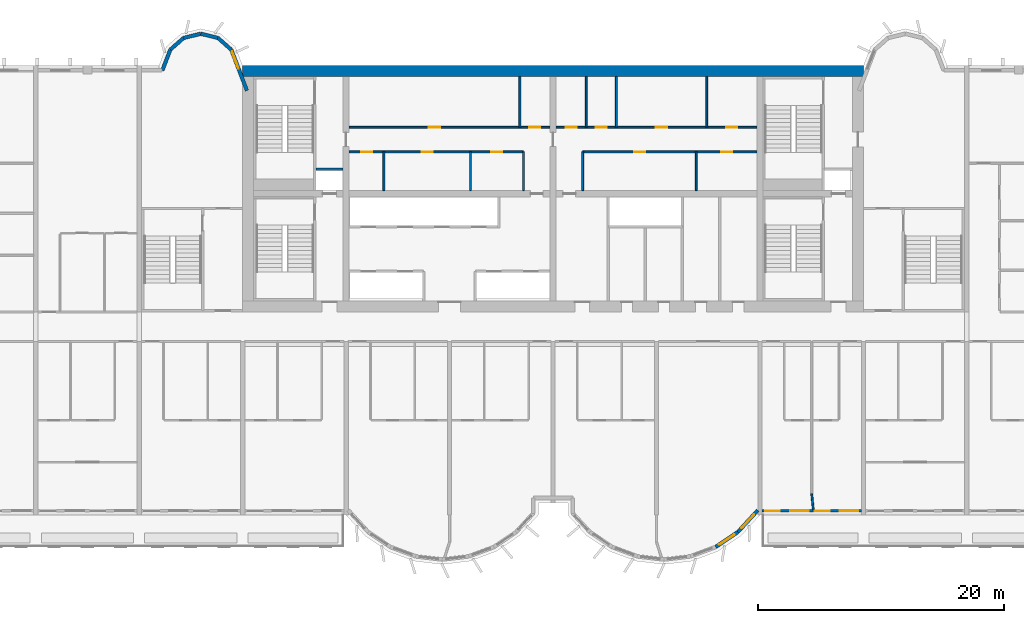
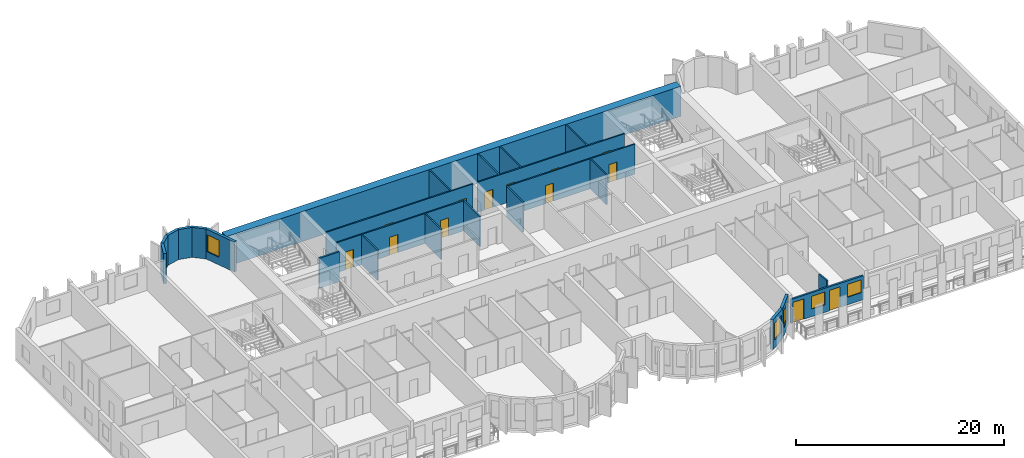
# One storey, part 7 of 14: 25 walls, 13 doors, 5 windows, 18 openings.
"""IFC4 building model written with IfcOpenShell, lengths in metres."""

from ifc_helpers import new_model, si_unit, direction, frame, frame_2d, origin, place, context, subcontext, project, spatial, rectangle, extrude, source, transform, mapped, material, layer, layer_set, type_object, element, fill, save


model = new_model("IFC4")

# Units and contexts
model_context = context("Model", 3, precision=1e-05, world=origin(), true_north=direction((0.0, 1.0)))
body_context = subcontext(model_context, "Body", "Model", "MODEL_VIEW")
ifc_project = project(units=[si_unit("LENGTHUNIT", "METRE"), si_unit("AREAUNIT", "SQUARE_METRE"), si_unit("VOLUMEUNIT", "CUBIC_METRE"), si_unit("PLANEANGLEUNIT", "RADIAN"), si_unit("MASSUNIT", "GRAM", prefix="KILO")], contexts=[model_context])

# Site, building, storey
site_placement = place(None, origin())
site = spatial("IfcSite", under=ifc_project, at=site_placement, CompositionType="ELEMENT")
building_placement = place(site_placement, origin())
building = spatial("IfcBuilding", under=site, at=building_placement, Name="Vanashikhar Sky Hotel", CompositionType="ELEMENT")
storey_placement = place(building_placement, frame((0.0, 0.0, 118.0)))
storey = spatial("IfcBuildingStorey", under=building, at=storey_placement, Name="L28", CompositionType="ELEMENT", Elevation=118.0)

# Wall
ifc_material_1 = material(Name="Concrete M70", Category="concrete")
ifc_layer_1 = layer(ifc_material_1, 0.89990234375)
ifc_layer_set_1 = layer_set([ifc_layer_1], Name="RC core shell wall 900 Concrete M70")
wall_type_1 = type_object("IfcWallType", Name="RC core shell wall 900 Concrete M70", PredefinedType="SHEAR", material=ifc_layer_set_1)
shared_shape_1 = source(origin(), body_context, "Body", "SweptSolid", [
    extrude(rectangle(XDim=50.400146484375, YDim=0.89990234375, at=frame_2d((25.2001953125, 0.0))), origin(), (0.0, 0.0, 1.0), 3.52001953125),
])
wall_1_placement = place(storey_placement, frame((25.199951171875, 41.550048828125, 0.0), z_axis=(0.0, 0.0, 1.0), x_axis=(1.0, 0.0, 0.0)))
element("IfcWall", 1, at=wall_1_placement, inside=storey, type_object=wall_type_1, Name="KW-L28-KN", PredefinedType="SHEAR", context=body_context, shape_type="MappedRepresentation", body=[
    mapped(shared_shape_1, transform((0.0, 0.0, 0.0), scale=1.0)),
])

# Wall, opening, window
ifc_material_2 = material(Name="Concrete M50", Category="concrete")
ifc_layer_2 = layer(ifc_material_2, 0.300048828125)
ifc_layer_set_2 = layer_set([ifc_layer_2], Name="Lobe wall 300")
wall_type_2 = type_object("IfcWallType", Name="Lobe wall 300", PredefinedType="SOLIDWALL", material=ifc_layer_set_2)
shared_shape_2 = source(origin(), body_context, "Body", "SweptSolid", [
    extrude(rectangle(XDim=2.398193359375, YDim=0.300048828125, at=frame_2d((1.19921875, 0.0))), origin(), (0.0, 0.0, 1.0), 3.52001953125),
])
wall_2_placement = place(storey_placement, frame((65.404296875, 4.13134765625, 0.0), z_axis=(0.0, 0.0, 1.0), x_axis=(0.675374189419, 0.737475222815, 0.0)))
wall_2 = element("IfcWall", 2, at=wall_2_placement, inside=storey, type_object=wall_type_2, Name="Lobe wall", PredefinedType="SOLIDWALL", context=body_context, shape_type="MappedRepresentation", body=[
    mapped(shared_shape_2, transform((0.0, 0.0, 0.0), scale=1.0)),
])
shared_shape_3 = source(origin(), body_context, "Body", "SweptSolid", [
    extrude(rectangle(XDim=1.5, YDim=2.0, at=frame_2d((0.75, 1.0))), frame((0.0, 0.16015625, 0.0), z_axis=(0.0, -1.0, 0.0), x_axis=(1.0, 0.0, 0.0)), (0.0, 0.0, 1.0), 0.320068359375),
])
opening_1_placement = place(wall_2_placement, frame((0.44921875, 0.0, 0.89990234375)))
opening_1 = element("IfcOpeningElement", 3, at=opening_1_placement, cuts=wall_2, Name="Opening WN-2", PredefinedType="OPENING", context=body_context, shape_type="MappedRepresentation", body=[
    mapped(shared_shape_3, transform((0.0, 0.0, 0.0), scale=1.0)),
])
ifc_material_3 = material(Name="Glass", Category="glass")
window_type_1 = type_object("IfcWindowType", Name="Lobe window 1500 x 2000", PartitioningType="SINGLE_PANEL", PredefinedType="WINDOW", material=ifc_material_3)
shared_shape_4 = source(origin(), body_context, "Body", "SweptSolid", [
    extrude(rectangle(XDim=1.5, YDim=2.0, at=frame_2d((0.75, 1.0))), frame((0.0, 0.030029296875, 0.0), z_axis=(0.0, -1.0, 0.0), x_axis=(1.0, 0.0, 0.0)), (0.0, 0.0, 1.0), 0.06005859375),
])
window_1_placement = place(opening_1_placement, origin())
window_1 = element("IfcWindow", 4, at=window_1_placement, inside=storey, type_object=window_type_1, Name="Window WN-2", OverallHeight=2.0, OverallWidth=1.5, PartitioningType="SINGLE_PANEL", PredefinedType="WINDOW", context=body_context, shape_type="MappedRepresentation", body=[
    mapped(shared_shape_4, transform((0.0, 0.0, 0.0), scale=1.0)),
])
fill(opening_1, window_1)

shared_shape_5 = source(origin(), body_context, "Body", "SweptSolid", [
    extrude(rectangle(XDim=2.17578125, YDim=0.300048828125, at=frame_2d((1.087890625, 0.0))), origin(), (0.0, 0.0, 1.0), 3.52001953125),
])
wall_3_placement = place(storey_placement, frame((63.59912109375, 2.91650390625, 0.0), z_axis=(0.0, 0.0, 1.0), x_axis=(0.829625727223, 0.558319937607, 0.0)))
wall_3 = element("IfcWall", 5, at=wall_3_placement, inside=storey, type_object=wall_type_2, Name="Lobe wall", PredefinedType="SOLIDWALL", context=body_context, shape_type="MappedRepresentation", body=[
    mapped(shared_shape_5, transform((0.0, 0.0, 0.0), scale=1.0)),
])
opening_2_placement = place(wall_3_placement, frame((0.337890625, 0.0, 0.89990234375)))
opening_2 = element("IfcOpeningElement", 6, at=opening_2_placement, cuts=wall_3, Name="Opening WN-2", PredefinedType="OPENING", context=body_context, shape_type="MappedRepresentation", body=[
    mapped(shared_shape_3, transform((0.0, 0.0, 0.0), scale=1.0)),
])
window_2_placement = place(opening_2_placement, origin())
window_2 = element("IfcWindow", 7, at=window_2_placement, inside=storey, type_object=window_type_1, Name="Window WN-2", OverallHeight=2.0, OverallWidth=1.5, PartitioningType="SINGLE_PANEL", PredefinedType="WINDOW", context=body_context, shape_type="MappedRepresentation", body=[
    mapped(shared_shape_4, transform((0.0, 0.0, 0.0), scale=1.0)),
])
fill(opening_2, window_2)

shared_shape_6 = source(origin(), body_context, "Body", "SweptSolid", [
    extrude(rectangle(XDim=3.55908203125, YDim=0.300048828125, at=frame_2d((1.779541015625, 0.0))), origin(), (0.0, 0.0, 1.0), 3.52001953125),
])
wall_4_placement = place(storey_placement, frame((25.550048828125, 39.968505859375, 0.0), z_axis=(0.0, 0.0, 1.0), x_axis=(-0.35779745313, 0.933799219604, 0.0)))
wall_4 = element("IfcWall", 8, at=wall_4_placement, inside=storey, type_object=wall_type_2, Name="Lobe wall", PredefinedType="SOLIDWALL", context=body_context, shape_type="MappedRepresentation", body=[
    mapped(shared_shape_6, transform((0.0, 0.0, 0.0), scale=1.0)),
])
opening_3_placement = place(wall_4_placement, frame((1.9033203125, 0.0, 0.89990234375)))
opening_3 = element("IfcOpeningElement", 9, at=opening_3_placement, cuts=wall_4, Name="Opening WN-2", PredefinedType="OPENING", context=body_context, shape_type="MappedRepresentation", body=[
    mapped(shared_shape_3, transform((0.0, 0.0, 0.0), scale=1.0)),
])
window_3_placement = place(opening_3_placement, origin())
window_3 = element("IfcWindow", 10, at=window_3_placement, inside=storey, type_object=window_type_1, Name="Window WN-2", OverallHeight=2.0, OverallWidth=1.5, PartitioningType="SINGLE_PANEL", PredefinedType="WINDOW", context=body_context, shape_type="MappedRepresentation", body=[
    mapped(shared_shape_4, transform((0.0, 0.0, 0.0), scale=1.0)),
])
fill(opening_3, window_3)

# Walls
shared_shape_7 = source(origin(), body_context, "Body", "SweptSolid", [
    extrude(rectangle(XDim=1.440185546875, YDim=0.300048828125, at=frame_2d((0.72021484375, 0.0))), origin(), (0.0, 0.0, 1.0), 3.52001953125),
])
wall_5_placement = place(storey_placement, frame((24.276611328125, 43.2919921875, 0.0), z_axis=(0.0, 0.0, 1.0), x_axis=(-0.749649827867, 0.661834673902, 0.0)))
element("IfcWall", 11, at=wall_5_placement, inside=storey, type_object=wall_type_2, Name="Lobe wall", PredefinedType="SOLIDWALL", context=body_context, shape_type="MappedRepresentation", body=[
    mapped(shared_shape_7, transform((0.0, 0.0, 0.0), scale=1.0)),
])
shared_shape_8 = source(origin(), body_context, "Body", "SweptSolid", [
    extrude(rectangle(XDim=1.4384765625, YDim=0.300048828125, at=frame_2d((0.71923828125, 0.0))), origin(), (0.0, 0.0, 1.0), 3.52001953125),
])
wall_6_placement = place(storey_placement, frame((23.197021484375, 44.2451171875, 0.0), z_axis=(0.0, 0.0, 1.0), x_axis=(-0.971152283879, 0.238460146601, 0.0)))
element("IfcWall", 12, at=wall_6_placement, inside=storey, type_object=wall_type_2, Name="Lobe wall", PredefinedType="SOLIDWALL", context=body_context, shape_type="MappedRepresentation", body=[
    mapped(shared_shape_8, transform((0.0, 0.0, 0.0), scale=1.0)),
])
shared_shape_9 = source(origin(), body_context, "Body", "SweptSolid", [
    extrude(rectangle(XDim=1.438720703125, YDim=0.300048828125, at=frame_2d((0.71923828125, 0.0))), origin(), (0.0, 0.0, 1.0), 3.52001953125),
])
wall_7_placement = place(storey_placement, frame((21.800048828125, 44.588134765625, 0.0), z_axis=(0.0, 0.0, 1.0), x_axis=(-0.971161932466, -0.238420848351, 0.0)))
element("IfcWall", 13, at=wall_7_placement, inside=storey, type_object=wall_type_2, Name="Lobe wall", PredefinedType="SOLIDWALL", context=body_context, shape_type="MappedRepresentation", body=[
    mapped(shared_shape_9, transform((0.0, 0.0, 0.0), scale=1.0)),
])
shared_shape_10 = source(origin(), body_context, "Body", "SweptSolid", [
    extrude(rectangle(XDim=1.43994140625, YDim=0.300048828125, at=frame_2d((0.719970703125, 0.0))), origin(), (0.0, 0.0, 1.0), 3.52001953125),
])
wall_8_placement = place(storey_placement, frame((20.40283203125, 44.2451171875, 0.0), z_axis=(0.0, 0.0, 1.0), x_axis=(-0.74957555648, -0.661918790432, 0.0)))
element("IfcWall", 14, at=wall_8_placement, inside=storey, type_object=wall_type_2, Name="Lobe wall", PredefinedType="SOLIDWALL", context=body_context, shape_type="MappedRepresentation", body=[
    mapped(shared_shape_10, transform((0.0, 0.0, 0.0), scale=1.0)),
])
shared_shape_11 = source(origin(), body_context, "Body", "SweptSolid", [
    extrude(rectangle(XDim=1.81201171875, YDim=0.300048828125, at=frame_2d((0.906005859375, 0.0))), origin(), (0.0, 0.0, 1.0), 3.52001953125),
])
wall_9_placement = place(storey_placement, frame((19.323486328125, 43.2919921875, 0.0), z_axis=(0.0, 0.0, 1.0), x_axis=(-0.357877270961, -0.93376863244, 0.0)))
element("IfcWall", 15, at=wall_9_placement, inside=storey, type_object=wall_type_2, Name="Lobe wall", PredefinedType="SOLIDWALL", context=body_context, shape_type="MappedRepresentation", body=[
    mapped(shared_shape_11, transform((0.0, 0.0, 0.0), scale=1.0)),
])

# Wall, openings, windows, doors
ifc_layer_3 = layer(ifc_material_2, 0.199951171875)
ifc_layer_set_3 = layer_set([ifc_layer_3], Name="Front window wall 200")
wall_type_3 = type_object("IfcWallType", Name="Front window wall 200", PredefinedType="SOLIDWALL", material=ifc_layer_set_3)
shared_shape_12 = source(origin(), body_context, "Body", "SweptSolid", [
    extrude(rectangle(XDim=8.050048828125, YDim=0.199951171875, at=frame_2d((4.02490234375, 0.0))), origin(), (0.0, 0.0, 1.0), 2.820068359375),
])
wall_10_placement = place(storey_placement, frame((67.375, 5.85009765625, 0.0), z_axis=(0.0, 0.0, 1.0), x_axis=(1.0, 0.0, 0.0)))
wall_10 = element("IfcWall", 16, at=wall_10_placement, inside=storey, type_object=wall_type_3, Name="Front window wall", PredefinedType="SOLIDWALL", context=body_context, shape_type="MappedRepresentation", body=[
    mapped(shared_shape_12, transform((0.0, 0.0, 0.0), scale=1.0)),
])
shared_shape_13 = source(origin(), body_context, "Body", "SweptSolid", [
    extrude(rectangle(XDim=1.199951171875, YDim=2.39990234375, at=frame_2d((0.60009765625, 1.199951171875))), frame((0.0, 0.10986328125, 0.0), z_axis=(0.0, -1.0, 0.0), x_axis=(1.0, 0.0, 0.0)), (0.0, 0.0, 1.0), 0.219970703125),
])
opening_4_placement = place(wall_10_placement, frame((0.25, 0.0, 0.0)))
opening_4 = element("IfcOpeningElement", 17, at=opening_4_placement, cuts=wall_10, Name="Opening BD-08", PredefinedType="OPENING", context=body_context, shape_type="MappedRepresentation", body=[
    mapped(shared_shape_13, transform((0.0, 0.0, 0.0), scale=1.0)),
])
shared_shape_14 = source(origin(), body_context, "Body", "SweptSolid", [
    extrude(rectangle(XDim=1.5, YDim=1.5, at=frame_2d((0.75, 0.75))), frame((0.0, 0.10986328125, 0.0), z_axis=(0.0, -1.0, 0.0), x_axis=(1.0, 0.0, 0.0)), (0.0, 0.0, 1.0), 0.219970703125),
])
opening_5_placement = place(wall_10_placement, frame((2.27490234375, 0.0, 0.89990234375)))
opening_5 = element("IfcOpeningElement", 18, at=opening_5_placement, cuts=wall_10, Name="Opening WN-1", PredefinedType="OPENING", context=body_context, shape_type="MappedRepresentation", body=[
    mapped(shared_shape_14, transform((0.0, 0.0, 0.0), scale=1.0)),
])
opening_6_placement = place(wall_10_placement, frame((4.27490234375, 0.0, 0.0)))
opening_6 = element("IfcOpeningElement", 19, at=opening_6_placement, cuts=wall_10, Name="Opening BD-09", PredefinedType="OPENING", context=body_context, shape_type="MappedRepresentation", body=[
    mapped(shared_shape_13, transform((0.0, 0.0, 0.0), scale=1.0)),
])
opening_7_placement = place(wall_10_placement, frame((6.300048828125, 0.0, 0.89990234375)))
opening_7 = element("IfcOpeningElement", 20, at=opening_7_placement, cuts=wall_10, Name="Opening WN-1", PredefinedType="OPENING", context=body_context, shape_type="MappedRepresentation", body=[
    mapped(shared_shape_14, transform((0.0, 0.0, 0.0), scale=1.0)),
])
window_type_2 = type_object("IfcWindowType", Name="Window 1500 x 1500", PartitioningType="SINGLE_PANEL", PredefinedType="WINDOW", material=ifc_material_3)
shared_shape_15 = source(origin(), body_context, "Body", "SweptSolid", [
    extrude(rectangle(XDim=1.5, YDim=1.5, at=frame_2d((0.75, 0.75))), frame((0.0, 0.030029296875, 0.0), z_axis=(0.0, -1.0, 0.0), x_axis=(1.0, 0.0, 0.0)), (0.0, 0.0, 1.0), 0.06005859375),
])
window_4_placement = place(opening_5_placement, origin())
window_4 = element("IfcWindow", 21, at=window_4_placement, inside=storey, type_object=window_type_2, Name="Window WN-1", OverallHeight=1.5, OverallWidth=1.5, PartitioningType="SINGLE_PANEL", PredefinedType="WINDOW", context=body_context, shape_type="MappedRepresentation", body=[
    mapped(shared_shape_15, transform((0.0, 0.0, 0.0), scale=1.0)),
])
fill(opening_5, window_4)
window_5_placement = place(opening_7_placement, origin())
window_5 = element("IfcWindow", 22, at=window_5_placement, inside=storey, type_object=window_type_2, Name="Window WN-1", OverallHeight=1.5, OverallWidth=1.5, PartitioningType="SINGLE_PANEL", PredefinedType="WINDOW", context=body_context, shape_type="MappedRepresentation", body=[
    mapped(shared_shape_15, transform((0.0, 0.0, 0.0), scale=1.0)),
])
fill(opening_7, window_5)
ifc_material_4 = material(Name="Aluminium", Category="aluminium")
door_type_1 = type_object("IfcDoorType", Name="Balcony sliding door 1200 x 2400", OperationType="NOTDEFINED", PredefinedType="DOOR", material=ifc_material_4)
shared_shape_16 = source(origin(), body_context, "Body", "SweptSolid", [
    extrude(rectangle(XDim=1.199951171875, YDim=2.39990234375, at=frame_2d((0.60009765625, 1.199951171875))), frame((0.0, 0.02490234375, 0.0), z_axis=(0.0, -1.0, 0.0), x_axis=(1.0, 0.0, 0.0)), (0.0, 0.0, 1.0), 0.050048828125),
])
door_1_placement = place(opening_4_placement, origin())
door_1 = element("IfcDoor", 23, at=door_1_placement, inside=storey, type_object=door_type_1, Name="Balcony sliding door", OperationType="SLIDING_TO_RIGHT", OverallHeight=2.39990234375, OverallWidth=1.199951171875, PredefinedType="DOOR", context=body_context, shape_type="MappedRepresentation", body=[
    mapped(shared_shape_16, transform((0.0, 0.0, 0.0), scale=1.0)),
])
fill(opening_4, door_1)
door_2_placement = place(opening_6_placement, origin())
door_2 = element("IfcDoor", 24, at=door_2_placement, inside=storey, type_object=door_type_1, Name="Balcony sliding door", OperationType="SLIDING_TO_LEFT", OverallHeight=2.39990234375, OverallWidth=1.199951171875, PredefinedType="DOOR", context=body_context, shape_type="MappedRepresentation", body=[
    mapped(shared_shape_16, transform((0.0, 0.0, 0.0), scale=1.0)),
])
fill(opening_6, door_2)

# Walls
ifc_material_5 = material(Name="Gypsum board partition")
ifc_layer_4 = layer(ifc_material_5, 0.14990234375)
ifc_layer_set_4 = layer_set([ifc_layer_4], Name="Service partition 150")
wall_type_4 = type_object("IfcWallType", Name="Service partition 150", PredefinedType="PARTITIONING", material=ifc_layer_set_4)
shared_shape_17 = source(origin(), body_context, "Body", "SweptSolid", [
    extrude(rectangle(XDim=3.14990234375, YDim=0.14990234375, at=frame_2d((1.574951171875, 0.0))), origin(), (0.0, 0.0, 1.0), 3.52001953125),
])
for number, where, z_axis, x_axis, name in (
    (25, (48.0, 31.85009765625, 0.0), (0.0, 0.0, 1.0), (0.0, 1.0, 0.0), "Service partition 150"),
    (26, (36.6650390625, 31.85009765625, 0.0), (0.0, 0.0, 1.0), (0.0, 1.0, 0.0), "Service partition 150"),
    (27, (43.702880859375, 31.85009765625, 0.0), (0.0, 0.0, 1.0), (0.0, 1.0, 0.0), "Service partition 150"),
    (28, (52.800048828125, 31.85009765625, 0.0), (0.0, 0.0, 1.0), (0.0, 1.0, 0.0), "Service partition 150"),
    (29, (62.02392578125, 31.85009765625, 0.0), (0.0, 0.0, 1.0), (0.0, 1.0, 0.0), "Service partition 150"),
):
    element("IfcWall", number, at=place(storey_placement, frame(where, z_axis=z_axis, x_axis=x_axis)), inside=storey, type_object=wall_type_4, Name=name, PredefinedType="PARTITIONING", context=body_context, shape_type="MappedRepresentation", body=[
        mapped(shared_shape_17, transform((0.0, 0.0, 0.0), scale=1.0)),
    ])

# Wall, openings, doors
shared_shape_18 = source(origin(), body_context, "Body", "SweptSolid", [
    extrude(rectangle(XDim=14.14990234375, YDim=0.14990234375, at=frame_2d((7.074951171875, 0.0))), origin(), (0.0, 0.0, 1.0), 3.52001953125),
])
wall_11_placement = place(storey_placement, frame((33.85009765625, 35.0, 0.0), z_axis=(0.0, 0.0, 1.0), x_axis=(1.0, 0.0, 0.0)))
wall_11 = element("IfcWall", 30, at=wall_11_placement, inside=storey, type_object=wall_type_4, Name="Service partition 150", PredefinedType="PARTITIONING", context=body_context, shape_type="MappedRepresentation", body=[
    mapped(shared_shape_18, transform((0.0, 0.0, 0.0), scale=1.0)),
])
shared_shape_19 = source(origin(), body_context, "Body", "SweptSolid", [
    extrude(rectangle(XDim=0.89990234375, YDim=2.10009765625, at=frame_2d((0.449951171875, 1.050048828125))), frame((0.0, 0.0849609375, 0.0), z_axis=(0.0, -1.0, 0.0), x_axis=(1.0, 0.0, 0.0)), (0.0, 0.0, 1.0), 0.169921875),
])
opening_8_placement = place(wall_11_placement, frame((0.9580078125, 0.0, 0.0)))
opening_8 = element("IfcOpeningElement", 31, at=opening_8_placement, cuts=wall_11, Name="Opening DC-4-A", PredefinedType="OPENING", context=body_context, shape_type="MappedRepresentation", body=[
    mapped(shared_shape_19, transform((0.0, 0.0, 0.0), scale=1.0)),
])
opening_9_placement = place(wall_11_placement, frame((5.884033203125, 0.0, 0.0)))
opening_9 = element("IfcOpeningElement", 32, at=opening_9_placement, cuts=wall_11, Name="Opening DC-4-A", PredefinedType="OPENING", context=body_context, shape_type="MappedRepresentation", body=[
    mapped(shared_shape_19, transform((0.0, 0.0, 0.0), scale=1.0)),
])
opening_10_placement = place(wall_11_placement, frame((11.513916015625, 0.0, 0.0)))
opening_10 = element("IfcOpeningElement", 33, at=opening_10_placement, cuts=wall_11, Name="Opening DC-4-A", PredefinedType="OPENING", context=body_context, shape_type="MappedRepresentation", body=[
    mapped(shared_shape_19, transform((0.0, 0.0, 0.0), scale=1.0)),
])
ifc_material_6 = material(Name="Steel", Category="steel")
door_type_2 = type_object("IfcDoorType", Name="Service door 900 FD60", OperationType="NOTDEFINED", PredefinedType="DOOR", material=ifc_material_6)
shared_shape_20 = source(origin(), body_context, "Body", "SweptSolid", [
    extrude(rectangle(XDim=0.89990234375, YDim=2.10009765625, at=frame_2d((0.449951171875, 1.050048828125))), frame((0.0, 0.02490234375, 0.0), z_axis=(0.0, -1.0, 0.0), x_axis=(1.0, 0.0, 0.0)), (0.0, 0.0, 1.0), 0.050048828125),
])
door_3_placement = place(opening_8_placement, origin())
door_3 = element("IfcDoor", 34, at=door_3_placement, inside=storey, type_object=door_type_2, Name="Service door 900 FD60", OperationType="SINGLE_SWING_RIGHT", OverallHeight=2.10009765625, OverallWidth=0.89990234375, PredefinedType="DOOR", context=body_context, shape_type="MappedRepresentation", body=[
    mapped(shared_shape_20, transform((0.0, 0.0, 0.0), scale=1.0)),
])
fill(opening_8, door_3)
door_4_placement = place(opening_9_placement, origin())
door_4 = element("IfcDoor", 35, at=door_4_placement, inside=storey, type_object=door_type_2, Name="Service door 900 FD60", OperationType="SINGLE_SWING_RIGHT", OverallHeight=2.10009765625, OverallWidth=0.89990234375, PredefinedType="DOOR", context=body_context, shape_type="MappedRepresentation", body=[
    mapped(shared_shape_20, transform((0.0, 0.0, 0.0), scale=1.0)),
])
fill(opening_9, door_4)
door_5_placement = place(opening_10_placement, origin())
door_5 = element("IfcDoor", 36, at=door_5_placement, inside=storey, type_object=door_type_2, Name="Service door 900 FD60", OperationType="SINGLE_SWING_LEFT", OverallHeight=2.10009765625, OverallWidth=0.89990234375, PredefinedType="DOOR", context=body_context, shape_type="MappedRepresentation", body=[
    mapped(shared_shape_20, transform((0.0, 0.0, 0.0), scale=1.0)),
])
fill(opening_10, door_5)

wall_12_placement = place(storey_placement, frame((66.949951171875, 35.0, 0.0), z_axis=(0.0, 0.0, 1.0), x_axis=(-1.0, 0.0, 0.0)))
wall_12 = element("IfcWall", 37, at=wall_12_placement, inside=storey, type_object=wall_type_4, Name="Service partition 150", PredefinedType="PARTITIONING", context=body_context, shape_type="MappedRepresentation", body=[
    mapped(shared_shape_18, transform((0.0, 0.0, 0.0), scale=1.0)),
])
opening_11_placement = place(wall_12_placement, frame((2.012939453125, 0.0, 0.0)))
opening_11 = element("IfcOpeningElement", 38, at=opening_11_placement, cuts=wall_12, Name="Opening DC-4-A", PredefinedType="OPENING", context=body_context, shape_type="MappedRepresentation", body=[
    mapped(shared_shape_19, transform((0.0, 0.0, 0.0), scale=1.0)),
])
opening_12_placement = place(wall_12_placement, frame((9.051025390625, 0.0, 0.0)))
opening_12 = element("IfcOpeningElement", 39, at=opening_12_placement, cuts=wall_12, Name="Opening DC-4-A", PredefinedType="OPENING", context=body_context, shape_type="MappedRepresentation", body=[
    mapped(shared_shape_19, transform((0.0, 0.0, 0.0), scale=1.0)),
])
door_6_placement = place(opening_11_placement, origin())
door_6 = element("IfcDoor", 40, at=door_6_placement, inside=storey, type_object=door_type_2, Name="Service door 900 FD60", OperationType="SINGLE_SWING_LEFT", OverallHeight=2.10009765625, OverallWidth=0.89990234375, PredefinedType="DOOR", context=body_context, shape_type="MappedRepresentation", body=[
    mapped(shared_shape_20, transform((0.0, 0.0, 0.0), scale=1.0)),
])
fill(opening_11, door_6)
door_7_placement = place(opening_12_placement, origin())
door_7 = element("IfcDoor", 41, at=door_7_placement, inside=storey, type_object=door_type_2, Name="Service door 900 FD60", OperationType="SINGLE_SWING_LEFT", OverallHeight=2.10009765625, OverallWidth=0.89990234375, PredefinedType="DOOR", context=body_context, shape_type="MappedRepresentation", body=[
    mapped(shared_shape_20, transform((0.0, 0.0, 0.0), scale=1.0)),
])
fill(opening_12, door_7)

shared_shape_21 = source(origin(), body_context, "Body", "SweptSolid", [
    extrude(rectangle(XDim=16.2998046875, YDim=0.14990234375, at=frame_2d((8.14990234375, 0.0))), origin(), (0.0, 0.0, 1.0), 3.52001953125),
])
wall_13_placement = place(storey_placement, frame((33.85009765625, 37.0, 0.0), z_axis=(0.0, 0.0, 1.0), x_axis=(1.0, 0.0, 0.0)))
wall_13 = element("IfcWall", 42, at=wall_13_placement, inside=storey, type_object=wall_type_4, Name="Service partition 150", PredefinedType="PARTITIONING", context=body_context, shape_type="MappedRepresentation", body=[
    mapped(shared_shape_21, transform((0.0, 0.0, 0.0), scale=1.0)),
])
opening_13_placement = place(wall_13_placement, frame((6.47802734375, 0.0, 0.0)))
opening_13 = element("IfcOpeningElement", 43, at=opening_13_placement, cuts=wall_13, Name="Opening DC-4-A", PredefinedType="OPENING", context=body_context, shape_type="MappedRepresentation", body=[
    mapped(shared_shape_19, transform((0.0, 0.0, 0.0), scale=1.0)),
])
opening_14_placement = place(wall_13_placement, frame((14.626953125, 0.0, 0.0)))
opening_14 = element("IfcOpeningElement", 44, at=opening_14_placement, cuts=wall_13, Name="Opening DC-4-A", PredefinedType="OPENING", context=body_context, shape_type="MappedRepresentation", body=[
    mapped(shared_shape_19, transform((0.0, 0.0, 0.0), scale=1.0)),
])
door_8_placement = place(opening_13_placement, origin())
door_8 = element("IfcDoor", 45, at=door_8_placement, inside=storey, type_object=door_type_2, Name="Service door 900 FD60", OperationType="SINGLE_SWING_RIGHT", OverallHeight=2.10009765625, OverallWidth=0.89990234375, PredefinedType="DOOR", context=body_context, shape_type="MappedRepresentation", body=[
    mapped(shared_shape_20, transform((0.0, 0.0, 0.0), scale=1.0)),
])
fill(opening_13, door_8)
door_9_placement = place(opening_14_placement, origin())
door_9 = element("IfcDoor", 46, at=door_9_placement, inside=storey, type_object=door_type_2, Name="Service door 900 FD60", OperationType="SINGLE_SWING_RIGHT", OverallHeight=2.10009765625, OverallWidth=0.89990234375, PredefinedType="DOOR", context=body_context, shape_type="MappedRepresentation", body=[
    mapped(shared_shape_20, transform((0.0, 0.0, 0.0), scale=1.0)),
])
fill(opening_14, door_9)

# Walls
shared_shape_22 = source(origin(), body_context, "Body", "SweptSolid", [
    extrude(rectangle(XDim=4.10009765625, YDim=0.14990234375, at=frame_2d((2.050048828125, 0.0))), origin(), (0.0, 0.0, 1.0), 3.52001953125),
])
for number, where, z_axis, x_axis, name in (
    (47, (47.705078125, 37.0, 0.0), (0.0, 0.0, 1.0), (0.0, 1.0, 0.0), "Service partition 150"),
    (48, (62.875, 37.0, 0.0), (0.0, 0.0, 1.0), (0.0, 1.0, 0.0), "Service partition 150"),
    (49, (55.5400390625, 37.0, 0.0), (0.0, 0.0, 1.0), (0.0, 1.0, 0.0), "Service partition 150"),
    (50, (53.094970703125, 37.0, 0.0), (0.0, 0.0, 1.0), (0.0, 1.0, 0.0), "Service partition 150"),
):
    element("IfcWall", number, at=place(storey_placement, frame(where, z_axis=z_axis, x_axis=x_axis)), inside=storey, type_object=wall_type_4, Name=name, PredefinedType="PARTITIONING", context=body_context, shape_type="MappedRepresentation", body=[
        mapped(shared_shape_22, transform((0.0, 0.0, 0.0), scale=1.0)),
    ])

# Wall, openings, doors
shared_shape_23 = source(origin(), body_context, "Body", "SweptSolid", [
    extrude(rectangle(XDim=16.300048828125, YDim=0.14990234375, at=frame_2d((8.14990234375, 0.0))), origin(), (0.0, 0.0, 1.0), 3.52001953125),
])
wall_14_placement = place(storey_placement, frame((66.949951171875, 37.0, 0.0), z_axis=(0.0, 0.0, 1.0), x_axis=(-1.0, 0.0, 0.0)))
wall_14 = element("IfcWall", 51, at=wall_14_placement, inside=storey, type_object=wall_type_4, Name="Service partition 150", PredefinedType="PARTITIONING", context=body_context, shape_type="MappedRepresentation", body=[
    mapped(shared_shape_23, transform((0.0, 0.0, 0.0), scale=1.0)),
])
opening_15_placement = place(wall_14_placement, frame((1.587890625, 0.0, 0.0)))
opening_15 = element("IfcOpeningElement", 52, at=opening_15_placement, cuts=wall_14, Name="Opening DC-4-A", PredefinedType="OPENING", context=body_context, shape_type="MappedRepresentation", body=[
    mapped(shared_shape_19, transform((0.0, 0.0, 0.0), scale=1.0)),
])
opening_16_placement = place(wall_14_placement, frame((7.29296875, 0.0, 0.0)))
opening_16 = element("IfcOpeningElement", 53, at=opening_16_placement, cuts=wall_14, Name="Opening DC-4-A", PredefinedType="OPENING", context=body_context, shape_type="MappedRepresentation", body=[
    mapped(shared_shape_19, transform((0.0, 0.0, 0.0), scale=1.0)),
])
opening_17_placement = place(wall_14_placement, frame((12.18310546875, 0.0, 0.0)))
opening_17 = element("IfcOpeningElement", 54, at=opening_17_placement, cuts=wall_14, Name="Opening DC-4-A", PredefinedType="OPENING", context=body_context, shape_type="MappedRepresentation", body=[
    mapped(shared_shape_19, transform((0.0, 0.0, 0.0), scale=1.0)),
])
opening_18_placement = place(wall_14_placement, frame((14.626953125, 0.0, 0.0)))
opening_18 = element("IfcOpeningElement", 55, at=opening_18_placement, cuts=wall_14, Name="Opening DC-4-A", PredefinedType="OPENING", context=body_context, shape_type="MappedRepresentation", body=[
    mapped(shared_shape_19, transform((0.0, 0.0, 0.0), scale=1.0)),
])
door_10_placement = place(opening_15_placement, origin())
door_10 = element("IfcDoor", 56, at=door_10_placement, inside=storey, type_object=door_type_2, Name="Service door 900 FD60", OperationType="SINGLE_SWING_LEFT", OverallHeight=2.10009765625, OverallWidth=0.89990234375, PredefinedType="DOOR", context=body_context, shape_type="MappedRepresentation", body=[
    mapped(shared_shape_20, transform((0.0, 0.0, 0.0), scale=1.0)),
])
fill(opening_15, door_10)
door_11_placement = place(opening_16_placement, origin())
door_11 = element("IfcDoor", 57, at=door_11_placement, inside=storey, type_object=door_type_2, Name="Service door 900 FD60", OperationType="SINGLE_SWING_LEFT", OverallHeight=2.10009765625, OverallWidth=0.89990234375, PredefinedType="DOOR", context=body_context, shape_type="MappedRepresentation", body=[
    mapped(shared_shape_20, transform((0.0, 0.0, 0.0), scale=1.0)),
])
fill(opening_16, door_11)
door_12_placement = place(opening_17_placement, origin())
door_12 = element("IfcDoor", 58, at=door_12_placement, inside=storey, type_object=door_type_2, Name="Service door 900 FD60", OperationType="SINGLE_SWING_LEFT", OverallHeight=2.10009765625, OverallWidth=0.89990234375, PredefinedType="DOOR", context=body_context, shape_type="MappedRepresentation", body=[
    mapped(shared_shape_20, transform((0.0, 0.0, 0.0), scale=1.0)),
])
fill(opening_17, door_12)
door_13_placement = place(opening_18_placement, origin())
door_13 = element("IfcDoor", 59, at=door_13_placement, inside=storey, type_object=door_type_2, Name="Service door 900 FD60", OperationType="SINGLE_SWING_RIGHT", OverallHeight=2.10009765625, OverallWidth=0.89990234375, PredefinedType="DOOR", context=body_context, shape_type="MappedRepresentation", body=[
    mapped(shared_shape_20, transform((0.0, 0.0, 0.0), scale=1.0)),
])
fill(opening_18, door_13)

# Walls
ifc_material_7 = material(Name="Concrete M40", Category="concrete")
ifc_layer_5 = layer(ifc_material_7, 0.199951171875)
ifc_layer_set_5 = layer_set([ifc_layer_5], Name="Shaft wall 200")
wall_type_5 = type_object("IfcWallType", Name="Shaft wall 200", PredefinedType="SOLIDWALL", material=ifc_layer_set_5)
shared_shape_24 = source(origin(), body_context, "Body", "SweptSolid", [
    extrude(rectangle(XDim=2.2001953125, YDim=0.199951171875, at=frame_2d((1.10009765625, 0.0))), origin(), (0.0, 0.0, 1.0), 3.52001953125),
])
wall_15_placement = place(storey_placement, frame((31.14990234375, 33.60009765625, 0.0), z_axis=(0.0, 0.0, 1.0), x_axis=(1.0, 0.0, 0.0)))
element("IfcWall", 60, at=wall_15_placement, inside=storey, type_object=wall_type_5, Name="Shaft wall 200", PredefinedType="SOLIDWALL", context=body_context, shape_type="MappedRepresentation", body=[
    mapped(shared_shape_24, transform((0.0, 0.0, 0.0), scale=1.0)),
])
ifc_material_8 = material(Name="Gypsum plasterboard partition")
ifc_layer_6 = layer(ifc_material_8, 0.14990234375)
ifc_layer_set_6 = layer_set([ifc_layer_6], Name="Corridor and demising partition 150")
wall_type_6 = type_object("IfcWallType", Name="Corridor and demising partition 150", PredefinedType="PARTITIONING", material=ifc_layer_set_6)
shared_shape_25 = source(origin(), body_context, "Body", "SweptSolid", [
    extrude(rectangle(XDim=1.306640625, YDim=0.14990234375, at=frame_2d((0.6533203125, 0.0))), origin(), (0.0, 0.0, 1.0), 3.52001953125),
])
wall_16_placement = place(storey_placement, frame((71.530029296875, 5.949951171875, 0.0), z_axis=(0.0, 0.0, 1.0), x_axis=(-0.099596223396, 0.99502793543, 0.0)))
element("IfcWall", 61, at=wall_16_placement, inside=storey, type_object=wall_type_6, Name="W-L28-PW040B0", PredefinedType="PARTITIONING", context=body_context, shape_type="MappedRepresentation", body=[
    mapped(shared_shape_25, transform((0.0, 0.0, 0.0), scale=1.0)),
])

save(model, "model.ifc")
